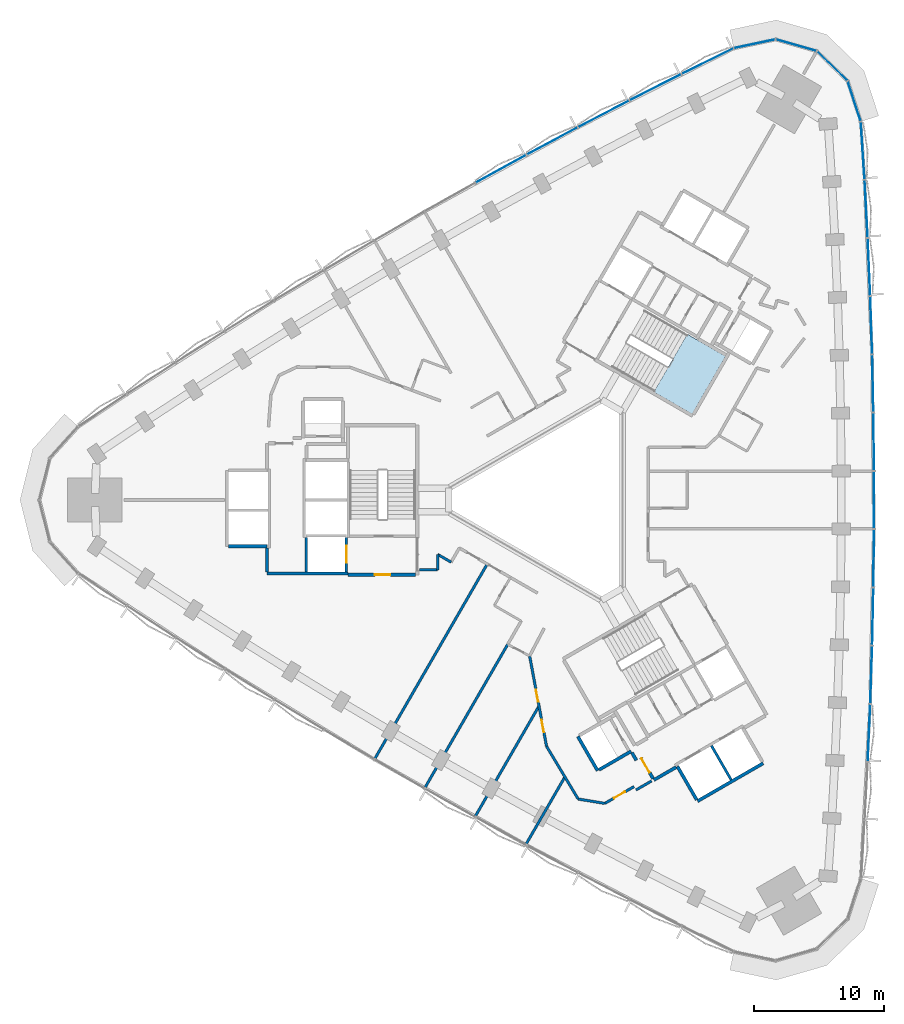
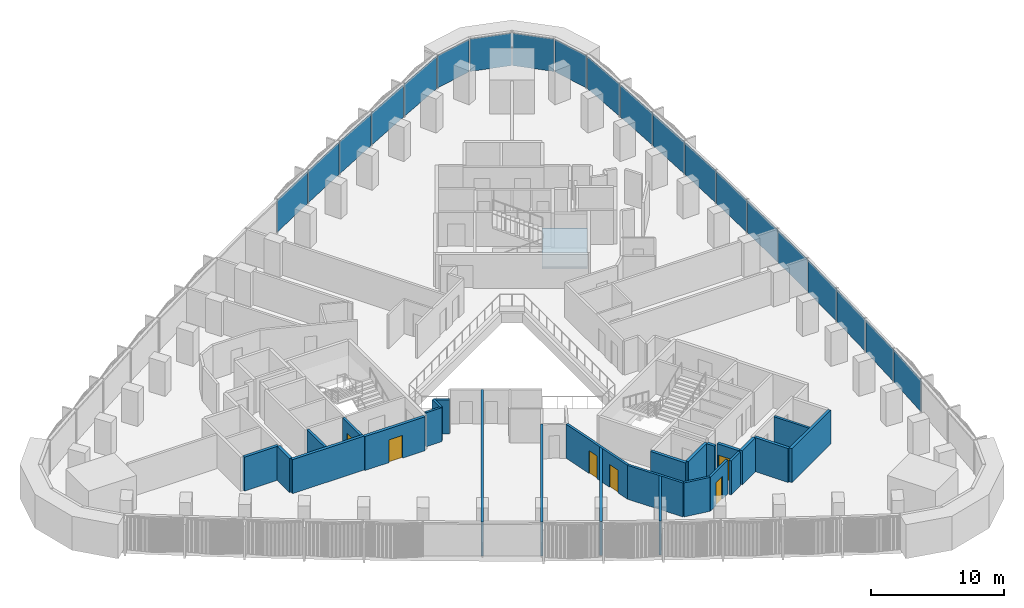
# One storey, part 8 of 15: 26 walls, 20 plates, 6 doors, 1 slab, 6 openings, 3 elements without a shape of their own.
"""IFC4 building model written with IfcOpenShell, lengths in metres."""

from ifc_helpers import new_model, si_unit, direction, frame, frame_2d, origin, origin_2d, place, context, subcontext, project, spatial, polyline, rectangle, outline, extrude, material, layer, layer_set, type_object, element, fill, aggregate, save


model = new_model("IFC4")

# Units and contexts
model_context = context("Model", 3, precision=1e-05, world=origin(), true_north=direction((0.0, 1.0)))
body_context = subcontext(model_context, "Body", "Model", "MODEL_VIEW")
ifc_project = project(units=[si_unit("LENGTHUNIT", "METRE"), si_unit("AREAUNIT", "SQUARE_METRE"), si_unit("VOLUMEUNIT", "CUBIC_METRE"), si_unit("PLANEANGLEUNIT", "RADIAN"), si_unit("MASSUNIT", "GRAM", prefix="KILO")], contexts=[model_context])

# Site, building, storey
site_placement = place(None, origin())
site = spatial("IfcSite", under=ifc_project, at=site_placement, CompositionType="ELEMENT")
building_placement = place(site_placement, origin())
building = spatial("IfcBuilding", under=site, at=building_placement, Name="Tamra Quay Hotel Tower", CompositionType="ELEMENT")
storey_placement = place(building_placement, frame((0.0, 0.0, 53.0)))
storey = spatial("IfcBuildingStorey", under=building, at=storey_placement, Name="L11", CompositionType="ELEMENT", Elevation=53.0)

# Stair, slab
ifc_material_1 = material(Name="Exit stair 2200 24 risers 150.0 going 342")
stair_type = type_object("IfcStairType", Name="Exit stair 2200 24 risers 150.0 going 342", PredefinedType="HALF_TURN_STAIR", material=ifc_material_1)
stair_placement = place(storey_placement, origin())
stair = element("IfcStair", 1, at=stair_placement, inside=storey, type_object=stair_type, Name="L11 Exit stair ST1", PredefinedType="HALF_TURN_STAIR")
ifc_material_2 = material(Name="Concrete M70", Category="concrete")
ifc_layer_1 = layer(ifc_material_2, 0.175048828125)
ifc_layer_set_1 = layer_set([ifc_layer_1], Name="Concrete M70 stair landing 180")
slab_type = type_object("IfcSlabType", Name="Concrete M70 stair landing 180", PredefinedType="LANDING", material=ifc_layer_set_1)
slab_placement = place(storey_placement, frame((0.0, 0.0, 1.625)))
slab = element("IfcSlab", 2, at=slab_placement, type_object=slab_type, Name="ST1 landing 1", PredefinedType="LANDING", context=body_context, shape_type="SweptSolid", body=[
    extrude(outline(polyline([(7.425048828125, 8.336669921875), (10.385009765625, 6.627685546875), (12.964599609375, 11.095458984375), (10.00439453125, 12.804443359375), (7.425048828125, 8.336669921875)])), origin(), (0.0, 0.0, 1.0), 0.175048828125),
])
aggregate(stair, [slab])

# Curtain wall, plates
ifc_material_3 = material(Name="Aluminium 6063 anodised dark grey", Category="aluminium")
curtain_wall_type_1 = type_object("IfcCurtainWallType", Name="CW1 CURTAIN WALL", PredefinedType="NOTDEFINED", material=ifc_material_3)
curtain_wall_1_placement = place(storey_placement, origin())
curtain_wall_1 = element("IfcCurtainWall", 3, at=curtain_wall_1_placement, inside=storey, type_object=curtain_wall_type_1, Name="CW1 east face L11", PredefinedType="NOTDEFINED")
ifc_material_4 = material(Name="Glass clear laminated low-iron", Category="glass")
ifc_layer_2 = layer(ifc_material_4, 0.035888671875)
ifc_layer_set_2 = layer_set([ifc_layer_2], Name="GLASS PANEL CW1 Z1")
plate_type_1 = type_object("IfcPlateType", Name="GLASS PANEL CW1 Z1", PredefinedType="CURTAIN_PANEL", material=ifc_layer_set_2)
plate_1_placement = place(storey_placement, frame((24.04052734375, -17.985107421875, 0.0), z_axis=(0.0, 0.0, 1.0), x_axis=(0.043285462035, 0.999062745165, 0.0)))
plate_1 = element("IfcPlate", 4, at=plate_1_placement, type_object=plate_type_1, Name="CW1 glass L11.E.3", PredefinedType="CURTAIN_PANEL", context=body_context, shape_type="SweptSolid", body=[
    extrude(rectangle(XDim=4.397216796875, YDim=0.035888671875, at=origin_2d()), origin(), (0.0, 0.0, 1.0), 2.985107421875),
])
plate_2_placement = place(storey_placement, frame((24.2109375, -13.490966796875, 0.0), z_axis=(0.0, 0.0, 1.0), x_axis=(0.032474799035, 0.999472554615, 0.0)))
plate_2 = element("IfcPlate", 5, at=plate_2_placement, type_object=plate_type_1, Name="CW1 glass L11.E.4", PredefinedType="CURTAIN_PANEL", context=body_context, shape_type="SweptSolid", body=[
    extrude(rectangle(XDim=4.397216796875, YDim=0.035888671875, at=origin_2d()), origin(), (0.0, 0.0, 1.0), 2.985107421875),
])
plate_3_placement = place(storey_placement, frame((24.332763671875, -8.99462890625, 0.0), z_axis=(0.0, 0.0, 1.0), x_axis=(0.021657440572, 0.999765450127, 0.0)))
plate_3 = element("IfcPlate", 6, at=plate_3_placement, type_object=plate_type_1, Name="CW1 glass L11.E.5", PredefinedType="CURTAIN_PANEL", context=body_context, shape_type="SweptSolid", body=[
    extrude(rectangle(XDim=4.39892578125, YDim=0.035888671875, at=origin_2d()), origin(), (0.0, 0.0, 1.0), 2.985107421875),
])
plate_4_placement = place(storey_placement, frame((24.40576171875, -4.4970703125, 0.0), z_axis=(0.0, 0.0, 1.0), x_axis=(0.010835825783, 0.999941290716, 0.0)))
plate_4 = element("IfcPlate", 7, at=plate_4_placement, type_object=plate_type_1, Name="CW1 glass L11.E.6", PredefinedType="CURTAIN_PANEL", context=body_context, shape_type="SweptSolid", body=[
    extrude(rectangle(XDim=4.397216796875, YDim=0.035888671875, at=origin_2d()), origin(), (0.0, 0.0, 1.0), 2.985107421875),
])
plate_5_placement = place(storey_placement, frame((24.43017578125, 0.0, 0.0), z_axis=(0.0, 0.0, 1.0), x_axis=(0.0, 1.0, 0.0)))
plate_5 = element("IfcPlate", 8, at=plate_5_placement, type_object=plate_type_1, Name="CW1 glass L11.E.7", PredefinedType="CURTAIN_PANEL", context=body_context, shape_type="SweptSolid", body=[
    extrude(rectangle(XDim=4.397216796875, YDim=0.035888671875, at=origin_2d()), origin(), (0.0, 0.0, 1.0), 2.985107421875),
])
plate_6_placement = place(storey_placement, frame((24.40576171875, 4.4970703125, 0.0), z_axis=(0.0, 0.0, 1.0), x_axis=(-0.010835825783, 0.999941290716, 0.0)))
plate_6 = element("IfcPlate", 9, at=plate_6_placement, type_object=plate_type_1, Name="CW1 glass L11.E.8", PredefinedType="CURTAIN_PANEL", context=body_context, shape_type="SweptSolid", body=[
    extrude(rectangle(XDim=4.397216796875, YDim=0.035888671875, at=origin_2d()), origin(), (0.0, 0.0, 1.0), 2.985107421875),
])
plate_7_placement = place(storey_placement, frame((24.332763671875, 8.99462890625, 0.0), z_axis=(0.0, 0.0, 1.0), x_axis=(-0.021657440572, 0.999765450127, 0.0)))
plate_7 = element("IfcPlate", 10, at=plate_7_placement, type_object=plate_type_1, Name="CW1 glass L11.E.9", PredefinedType="CURTAIN_PANEL", context=body_context, shape_type="SweptSolid", body=[
    extrude(rectangle(XDim=4.39892578125, YDim=0.035888671875, at=origin_2d()), origin(), (0.0, 0.0, 1.0), 2.985107421875),
])
plate_8_placement = place(storey_placement, frame((24.2109375, 13.490966796875, 0.0), z_axis=(0.0, 0.0, 1.0), x_axis=(-0.032474799035, 0.999472554615, 0.0)))
plate_8 = element("IfcPlate", 11, at=plate_8_placement, type_object=plate_type_1, Name="CW1 glass L11.E.10", PredefinedType="CURTAIN_PANEL", context=body_context, shape_type="SweptSolid", body=[
    extrude(rectangle(XDim=4.397216796875, YDim=0.035888671875, at=origin_2d()), origin(), (0.0, 0.0, 1.0), 2.985107421875),
])
plate_9_placement = place(storey_placement, frame((24.04052734375, 17.985107421875, 0.0), z_axis=(0.0, 0.0, 1.0), x_axis=(-0.043285462035, 0.999062745165, 0.0)))
plate_9 = element("IfcPlate", 12, at=plate_9_placement, type_object=plate_type_1, Name="CW1 glass L11.E.11", PredefinedType="CURTAIN_PANEL", context=body_context, shape_type="SweptSolid", body=[
    extrude(rectangle(XDim=4.397216796875, YDim=0.035888671875, at=origin_2d()), origin(), (0.0, 0.0, 1.0), 2.985107421875),
])
plate_10_placement = place(storey_placement, frame((23.821533203125, 22.477783203125, 0.0), z_axis=(0.0, 0.0, 1.0), x_axis=(-0.054062119595, 0.998537574268, 0.0)))
plate_10 = element("IfcPlate", 13, at=plate_10_placement, type_object=plate_type_1, Name="CW1 glass L11.E.12", PredefinedType="CURTAIN_PANEL", context=body_context, shape_type="SweptSolid", body=[
    extrude(rectangle(XDim=4.39892578125, YDim=0.035888671875, at=origin_2d()), origin(), (0.0, 0.0, 1.0), 2.985107421875),
])
plate_11_placement = place(storey_placement, frame((23.55419921875, 26.96728515625, 0.0), z_axis=(0.0, 0.0, 1.0), x_axis=(-0.064813097616, 0.997897420769, 0.0)))
plate_11 = element("IfcPlate", 14, at=plate_11_placement, type_object=plate_type_1, Name="CW1 glass L11.E.13", PredefinedType="CURTAIN_PANEL", context=body_context, shape_type="SweptSolid", body=[
    extrude(rectangle(XDim=4.396484375, YDim=0.035888671875, at=origin_2d()), origin(), (0.0, 0.0, 1.0), 2.985107421875),
])
plate_12_placement = place(storey_placement, frame((22.8974609375, 30.783447265625, 0.0), z_axis=(0.0, 0.0, 1.0), x_axis=(-0.309040551826, 0.951048861693, 0.0)))
plate_12 = element("IfcPlate", 15, at=plate_12_placement, type_object=plate_type_1, Name="CW1 glass L11.E.14", PredefinedType="CURTAIN_PANEL", context=body_context, shape_type="SweptSolid", body=[
    extrude(rectangle(XDim=3.207275390625, YDim=0.035888671875, at=origin_2d()), origin(), (0.0, 0.0, 1.0), 2.985107421875),
])
plate_13_placement = place(storey_placement, frame((21.197021484375, 33.5048828125, 0.0), z_axis=(0.0, 0.0, 1.0), x_axis=(-0.719345535851, 0.694652431113, 0.0)))
plate_13 = element("IfcPlate", 16, at=plate_13_placement, type_object=plate_type_1, Name="CW1 glass L11.E.15", PredefinedType="CURTAIN_PANEL", context=body_context, shape_type="SweptSolid", body=[
    extrude(rectangle(XDim=3.207275390625, YDim=0.035888671875, at=origin_2d()), origin(), (0.0, 0.0, 1.0), 2.985107421875),
])
plate_14_placement = place(storey_placement, frame((18.417724609375, 35.109619140625, 0.0), z_axis=(0.0, 0.0, 1.0), x_axis=(-0.96125942007, 0.275645292589, 0.0)))
plate_14 = element("IfcPlate", 17, at=plate_14_placement, type_object=plate_type_1, Name="CW1 glass L11.E.16", PredefinedType="CURTAIN_PANEL", context=body_context, shape_type="SweptSolid", body=[
    extrude(rectangle(XDim=3.207275390625, YDim=0.035888671875, at=origin_2d()), origin(), (0.0, 0.0, 1.0), 2.985107421875),
])
plate_15_placement = place(storey_placement, frame((15.210693359375, 35.2216796875, 0.0), z_axis=(0.0, 0.0, 1.0), x_axis=(-0.978152750379, -0.207887462165, 0.0)))
plate_15 = element("IfcPlate", 18, at=plate_15_placement, type_object=plate_type_1, Name="CW1 glass L11.E.17", PredefinedType="CURTAIN_PANEL", context=body_context, shape_type="SweptSolid", body=[
    extrude(rectangle(XDim=3.207275390625, YDim=0.035888671875, at=origin_2d()), origin(), (0.0, 0.0, 1.0), 2.985107421875),
])
aggregate(curtain_wall_1, [plate_1, plate_2, plate_3, plate_4, plate_5, plate_6, plate_7, plate_8, plate_9, plate_10, plate_11, plate_12, plate_13, plate_14, plate_15])

curtain_wall_type_2 = type_object("IfcCurtainWallType", Name="CW2 CURTAIN WALL", PredefinedType="NOTDEFINED", material=ifc_material_3)
curtain_wall_2_placement = place(storey_placement, origin())
curtain_wall_2 = element("IfcCurtainWall", 19, at=curtain_wall_2_placement, inside=storey, type_object=curtain_wall_type_2, Name="CW2 north-west face L11", PredefinedType="NOTDEFINED")
ifc_layer_3 = layer(ifc_material_4, 0.035888671875)
ifc_layer_set_3 = layer_set([ifc_layer_3], Name="GLASS PANEL CW2 Z1")
plate_type_2 = type_object("IfcPlateType", Name="GLASS PANEL CW2 Z1", PredefinedType="CURTAIN_PANEL", material=ifc_layer_set_3)
plate_16_placement = place(storey_placement, frame((11.5771484375, 33.88232421875, 0.0), z_axis=(0.0, 0.0, 1.0), x_axis=(-0.896611065565, -0.442818921351, 0.0)))
plate_16 = element("IfcPlate", 20, at=plate_16_placement, type_object=plate_type_2, Name="CW2 glass L11.NW.1", PredefinedType="CURTAIN_PANEL", context=body_context, shape_type="SweptSolid", body=[
    extrude(rectangle(XDim=4.396484375, YDim=0.035888671875, at=origin_2d()), origin(), (0.0, 0.0, 1.0), 2.985107421875),
])
plate_17_placement = place(storey_placement, frame((7.555419921875, 31.868896484375, 0.0), z_axis=(0.0, 0.0, 1.0), x_axis=(-0.891789965747, -0.452449618182, 0.0)))
plate_17 = element("IfcPlate", 21, at=plate_17_placement, type_object=plate_type_2, Name="CW2 glass L11.NW.2", PredefinedType="CURTAIN_PANEL", context=body_context, shape_type="SweptSolid", body=[
    extrude(rectangle(XDim=4.39892578125, YDim=0.035888671875, at=origin_2d()), origin(), (0.0, 0.0, 1.0), 2.985107421875),
])
plate_18_placement = place(storey_placement, frame((3.55517578125, 29.812255859375, 0.0), z_axis=(0.0, 0.0, 1.0), x_axis=(-0.886856448305, -0.462045062846, 0.0)))
plate_18 = element("IfcPlate", 22, at=plate_18_placement, type_object=plate_type_2, Name="CW2 glass L11.NW.3", PredefinedType="CURTAIN_PANEL", context=body_context, shape_type="SweptSolid", body=[
    extrude(rectangle(XDim=4.397216796875, YDim=0.035888671875, at=origin_2d()), origin(), (0.0, 0.0, 1.0), 2.985107421875),
])
plate_19_placement = place(storey_placement, frame((-0.421875, 27.712890625, 0.0), z_axis=(0.0, 0.0, 1.0), x_axis=(-0.881806022199, -0.47161227636, 0.0)))
plate_19 = element("IfcPlate", 23, at=plate_19_placement, type_object=plate_type_2, Name="CW2 glass L11.NW.4", PredefinedType="CURTAIN_PANEL", context=body_context, shape_type="SweptSolid", body=[
    extrude(rectangle(XDim=4.397216796875, YDim=0.035888671875, at=origin_2d()), origin(), (0.0, 0.0, 1.0), 2.985107421875),
])
plate_20_placement = place(storey_placement, frame((-4.376708984375, 25.570068359375, 0.0), z_axis=(0.0, 0.0, 1.0), x_axis=(-0.876650997922, -0.481126831347, 0.0)))
plate_20 = element("IfcPlate", 24, at=plate_20_placement, type_object=plate_type_2, Name="CW2 glass L11.NW.5", PredefinedType="CURTAIN_PANEL", context=body_context, shape_type="SweptSolid", body=[
    extrude(rectangle(XDim=4.39892578125, YDim=0.035888671875, at=origin_2d()), origin(), (0.0, 0.0, 1.0), 2.985107421875),
])
aggregate(curtain_wall_2, [plate_16, plate_17, plate_18, plate_19, plate_20])

# Wall, opening, door
ifc_layer_4 = layer(ifc_material_2, 0.199951171875)
ifc_layer_set_4 = layer_set([ifc_layer_4], Name="Concrete M70 core wall 200")
wall_type_1 = type_object("IfcWallType", Name="Concrete M70 core wall 200", PredefinedType="SHEAR", material=ifc_layer_set_4)
wall_1_placement = place(storey_placement, frame((-16.312255859375, -2.898193359375, 0.0), z_axis=(0.0, 0.0, 1.0), x_axis=(0.0, -1.0, 0.0)))
wall_1 = element("IfcWall", 25, at=wall_1_placement, inside=storey, type_object=wall_type_1, Name="CW2", PredefinedType="SHEAR", context=body_context, shape_type="SweptSolid", body=[
    extrude(rectangle(XDim=2.65087890625, YDim=0.199951171875, at=frame_2d((1.325439453125, 0.0))), origin(), (0.0, 0.0, 1.0), 3.125),
])
opening_1_placement = place(wall_1_placement, frame((0.65185546875, 0.0, 0.0)))
opening_1 = element("IfcOpeningElement", 26, at=opening_1_placement, cuts=wall_1, Name="Opening LD", PredefinedType="OPENING", context=body_context, shape_type="SweptSolid", body=[
    extrude(rectangle(XDim=1.300048828125, YDim=2.10009765625, at=frame_2d((0.64990234375, 1.050048828125))), frame((0.0, 0.10986328125, 0.0), z_axis=(0.0, -1.0, 0.0), x_axis=(1.0, 0.0, 0.0)), (0.0, 0.0, 1.0), 0.219970703125),
])
ifc_material_5 = material(Name="Landing door LD 1300 sliding to left")
door_type_1 = type_object("IfcDoorType", Name="Landing door LD 1300 sliding to left", OperationType="NOTDEFINED", PredefinedType="DOOR", material=ifc_material_5)
door_1_placement = place(opening_1_placement, origin())
door_1 = element("IfcDoor", 27, at=door_1_placement, inside=storey, type_object=door_type_1, Name="LD", OperationType="SLIDING_TO_LEFT", OverallHeight=2.10009765625, OverallWidth=1.300048828125, PredefinedType="DOOR", context=body_context, shape_type="SweptSolid", body=[
    extrude(rectangle(XDim=1.300048828125, YDim=2.10009765625, at=frame_2d((0.64990234375, 1.050048828125))), frame((0.0, 0.02490234375, 0.0), z_axis=(0.0, -1.0, 0.0), x_axis=(1.0, 0.0, 0.0)), (0.0, 0.0, 1.0), 0.050048828125),
])
fill(opening_1, door_1)

# Walls
wall_2_placement = place(storey_placement, frame((-19.412353515625, -5.549072265625, 0.0), z_axis=(0.0, 0.0, 1.0), x_axis=(0.0, 1.0, 0.0)))
element("IfcWall", 28, at=wall_2_placement, inside=storey, type_object=wall_type_1, Name="CW2", PredefinedType="SHEAR", context=body_context, shape_type="SweptSolid", body=[
    extrude(rectangle(XDim=2.65087890625, YDim=0.199951171875, at=frame_2d((1.325439453125, 0.0))), origin(), (0.0, 0.0, 1.0), 3.125),
])
wall_3_placement = place(storey_placement, frame((11.87451171875, -18.967041015625, 0.0), z_axis=(0.0, 0.0, 1.0), x_axis=(0.49998131003, -0.866036194175, 0.0)))
element("IfcWall", 29, at=wall_3_placement, inside=storey, type_object=wall_type_1, Name="CW2", PredefinedType="SHEAR", context=body_context, shape_type="SweptSolid", body=[
    extrude(rectangle(XDim=3.0478515625, YDim=0.199951171875, at=frame_2d((1.52392578125, 0.0))), origin(), (0.0, 0.0, 1.0), 3.125),
])
ifc_layer_5 = layer(ifc_material_2, 0.25)
ifc_layer_set_5 = layer_set([ifc_layer_5], Name="Concrete M70 core wall 250")
wall_type_2 = type_object("IfcWallType", Name="Concrete M70 core wall 250", PredefinedType="SHEAR", material=ifc_layer_set_5)
wall_4_placement = place(storey_placement, frame((-16.187255859375, -5.675048828125, 0.0), z_axis=(0.0, 0.0, 1.0), x_axis=(-1.0, 0.0, 0.0)))
element("IfcWall", 30, at=wall_4_placement, inside=storey, type_object=wall_type_2, Name="CW1", PredefinedType="SHEAR", context=body_context, shape_type="SweptSolid", body=[
    extrude(rectangle(XDim=6.25, YDim=0.25, at=frame_2d((3.125, 0.0))), origin(), (0.0, 0.0, 1.0), 3.125),
])

# Wall, opening, door
wall_5_placement = place(storey_placement, frame((-10.962646484375, -5.77490234375, 0.0), z_axis=(0.0, 0.0, 1.0), x_axis=(-1.0, 0.0, 0.0)))
wall_5 = element("IfcWall", 31, at=wall_5_placement, inside=storey, type_object=wall_type_2, Name="CW1", PredefinedType="SHEAR", context=body_context, shape_type="SweptSolid", body=[
    extrude(rectangle(XDim=5.224609375, YDim=0.25, at=frame_2d((2.6123046875, 0.0))), origin(), (0.0, 0.0, 1.0), 3.125),
])
opening_2_placement = place(wall_5_placement, frame((1.94970703125, 0.0, 0.0)))
opening_2 = element("IfcOpeningElement", 32, at=opening_2_placement, cuts=wall_5, Name="Opening D2", PredefinedType="OPENING", context=body_context, shape_type="SweptSolid", body=[
    extrude(rectangle(XDim=1.199951171875, YDim=2.10009765625, at=frame_2d((0.60009765625, 1.050048828125))), frame((0.0, 0.135009765625, 0.0), z_axis=(0.0, -1.0, 0.0), x_axis=(1.0, 0.0, 0.0)), (0.0, 0.0, 1.0), 0.27001953125),
])
ifc_material_6 = material(Name="Core door D2 1200x2100 RH")
door_type_2 = type_object("IfcDoorType", Name="Core door D2 1200x2100 RH", OperationType="NOTDEFINED", PredefinedType="DOOR", material=ifc_material_6)
door_2_placement = place(opening_2_placement, origin())
door_2 = element("IfcDoor", 33, at=door_2_placement, inside=storey, type_object=door_type_2, Name="D2", OperationType="SINGLE_SWING_RIGHT", OverallHeight=2.10009765625, OverallWidth=1.199951171875, PredefinedType="DOOR", context=body_context, shape_type="SweptSolid", body=[
    extrude(rectangle(XDim=1.199951171875, YDim=2.10009765625, at=frame_2d((0.60009765625, 1.050048828125))), frame((0.0, 0.02490234375, 0.0), z_axis=(0.0, -1.0, 0.0), x_axis=(1.0, 0.0, 0.0)), (0.0, 0.0, 1.0), 0.050048828125),
])
fill(opening_2, door_2)

# Walls
wall_6_placement = place(storey_placement, frame((-22.437255859375, -3.574951171875, 0.0), z_axis=(0.0, 0.0, 1.0), x_axis=(-1.0, 0.0, 0.0)))
element("IfcWall", 34, at=wall_6_placement, inside=storey, type_object=wall_type_2, Name="CW1", PredefinedType="SHEAR", context=body_context, shape_type="SweptSolid", body=[
    extrude(rectangle(XDim=2.974609375, YDim=0.25, at=frame_2d((1.4873046875, 0.0))), origin(), (0.0, 0.0, 1.0), 3.125),
])
wall_7_placement = place(storey_placement, frame((-22.437255859375, -5.549560546875, 0.0), z_axis=(0.0, 0.0, 1.0), x_axis=(0.0, 1.0, 0.0)))
element("IfcWall", 35, at=wall_7_placement, inside=storey, type_object=wall_type_2, Name="CW1", PredefinedType="SHEAR", context=body_context, shape_type="SweptSolid", body=[
    extrude(rectangle(XDim=1.84912109375, YDim=0.25, at=frame_2d((0.924560546875, 0.0))), origin(), (0.0, 0.0, 1.0), 3.125),
])
wall_8_placement = place(storey_placement, frame((15.86474609375, -20.328369140625, 0.0), z_axis=(0.0, 0.0, 1.0), x_axis=(-0.86602852612, -0.499994591916, 0.0)))
element("IfcWall", 36, at=wall_8_placement, inside=storey, type_object=wall_type_2, Name="CW1", PredefinedType="SHEAR", context=body_context, shape_type="SweptSolid", body=[
    extrude(rectangle(XDim=5.85009765625, YDim=0.25, at=frame_2d((2.925048828125, 0.0))), origin(), (0.0, 0.0, 1.0), 3.125),
])
wall_9_placement = place(storey_placement, frame((10.73583984375, -23.144775390625, 0.0), z_axis=(0.0, 0.0, 1.0), x_axis=(-0.500023226632, 0.866011993467, 0.0)))
element("IfcWall", 37, at=wall_9_placement, inside=storey, type_object=wall_type_2, Name="CW1", PredefinedType="SHEAR", context=body_context, shape_type="SweptSolid", body=[
    extrude(rectangle(XDim=2.974365234375, YDim=0.25, at=frame_2d((1.4873046875, 0.0))), origin(), (0.0, 0.0, 1.0), 3.125),
])
wall_10_placement = place(storey_placement, frame((3.085205078125, -20.893798828125, 0.0), z_axis=(0.0, 0.0, 1.0), x_axis=(-0.499978833458, 0.866037623948, 0.0)))
element("IfcWall", 38, at=wall_10_placement, inside=storey, type_object=wall_type_2, Name="CW1", PredefinedType="SHEAR", context=body_context, shape_type="SweptSolid", body=[
    extrude(rectangle(XDim=3.050048828125, YDim=0.25, at=frame_2d((1.52490234375, 0.0))), origin(), (0.0, 0.0, 1.0), 3.125),
])
wall_11_placement = place(storey_placement, frame((5.6748046875, -19.39892578125, 0.0), z_axis=(0.0, 0.0, 1.0), x_axis=(-0.866026637627, -0.499997862916, 0.0)))
element("IfcWall", 39, at=wall_11_placement, inside=storey, type_object=wall_type_2, Name="CW1", PredefinedType="SHEAR", context=body_context, shape_type="SweptSolid", body=[
    extrude(rectangle(XDim=2.86474609375, YDim=0.25, at=frame_2d((1.432373046875, 0.0))), origin(), (0.0, 0.0, 1.0), 3.125),
])
wall_12_placement = place(storey_placement, frame((9.139892578125, -20.63134765625, 0.0), z_axis=(0.0, 0.0, 1.0), x_axis=(-0.866043531843, -0.499968599967, 0.0)))
element("IfcWall", 40, at=wall_12_placement, inside=storey, type_object=wall_type_2, Name="CW1", PredefinedType="SHEAR", context=body_context, shape_type="SweptSolid", body=[
    extrude(rectangle(XDim=1.974853515625, YDim=0.25, at=frame_2d((0.9873046875, 0.0))), origin(), (0.0, 0.0, 1.0), 3.125),
])

# Wall, opening, door
wall_13_placement = place(storey_placement, frame((7.3671875, -21.51025390625, 0.0), z_axis=(0.0, 0.0, 1.0), x_axis=(-0.499983108224, 0.866035156036, 0.0)))
wall_13 = element("IfcWall", 41, at=wall_13_placement, inside=storey, type_object=wall_type_2, Name="CW1", PredefinedType="SHEAR", context=body_context, shape_type="SweptSolid", body=[
    extrude(rectangle(XDim=1.86474609375, YDim=0.25, at=frame_2d((0.932373046875, 0.0))), origin(), (0.0, 0.0, 1.0), 3.125),
])
opening_3_placement = place(wall_13_placement, frame((0.53466796875, 0.0, 0.0)))
opening_3 = element("IfcOpeningElement", 42, at=opening_3_placement, cuts=wall_13, Name="Opening FD3", PredefinedType="OPENING", context=body_context, shape_type="SweptSolid", body=[
    extrude(rectangle(XDim=1.25, YDim=2.10009765625, at=frame_2d((0.625, 1.050048828125))), frame((0.0, 0.135009765625, 0.0), z_axis=(0.0, -1.0, 0.0), x_axis=(1.0, 0.0, 0.0)), (0.0, 0.0, 1.0), 0.27001953125),
])
ifc_material_7 = material(Name="Core door FD3 1250x2100 LH")
door_type_3 = type_object("IfcDoorType", Name="Core door FD3 1250x2100 LH", OperationType="NOTDEFINED", PredefinedType="DOOR", material=ifc_material_7)
door_3_placement = place(opening_3_placement, origin())
door_3 = element("IfcDoor", 43, at=door_3_placement, inside=storey, type_object=door_type_3, Name="FD3", OperationType="SINGLE_SWING_LEFT", OverallHeight=2.10009765625, OverallWidth=1.25, PredefinedType="DOOR", context=body_context, shape_type="SweptSolid", body=[
    extrude(rectangle(XDim=1.25, YDim=2.10009765625, at=frame_2d((0.625, 1.050048828125))), frame((0.0, 0.02490234375, 0.0), z_axis=(0.0, -1.0, 0.0), x_axis=(1.0, 0.0, 0.0)), (0.0, 0.0, 1.0), 0.050048828125),
])
fill(opening_3, door_3)

# Walls
wall_14_placement = place(storey_placement, frame((6.07958984375, -20.100341796875, 0.0), z_axis=(0.0, 0.0, 1.0), x_axis=(-0.500051773299, 0.865995510393, 0.0)))
element("IfcWall", 44, at=wall_14_placement, inside=storey, type_object=wall_type_2, Name="CW1", PredefinedType="SHEAR", context=body_context, shape_type="SweptSolid", body=[
    extrude(rectangle(XDim=0.6845703125, YDim=0.25, at=frame_2d((0.34228515625, 0.0))), origin(), (0.0, 0.0, 1.0), 3.125),
])
ifc_material_8 = material(Name="Partition corridor wall")
ifc_layer_6 = layer(ifc_material_8, 0.199951171875)
ifc_layer_set_6 = layer_set([ifc_layer_6], Name="Partition corridor wall")
wall_type_3 = type_object("IfcWallType", Name="Partition corridor wall", PredefinedType="PARTITIONING", material=ifc_layer_set_6)
wall_15_placement = place(storey_placement, frame((-10.65234375, -5.39990234375, 0.0), z_axis=(0.0, 0.0, 1.0), x_axis=(1.0, 0.0, 0.0)))
element("IfcWall", 45, at=wall_15_placement, inside=storey, type_object=wall_type_3, Name="W-C", PredefinedType="PARTITIONING", context=body_context, shape_type="SweptSolid", body=[
    extrude(rectangle(XDim=1.390380859375, YDim=0.199951171875, at=frame_2d((0.6953125, 0.0))), origin(), (0.0, 0.0, 1.0), 3.125),
])
for number, where, z_axis, x_axis, name in (
    (46, (-9.261962890625, -5.39990234375, 0.0), (0.0, 0.0, 1.0), (0.0, 1.0, 0.0), "W-C"),
    (47, (-9.261962890625, -4.199951171875, 0.0), (0.0, 0.0, 1.0), (0.865955154139, -0.50012165622, 0.0), "W-C"),
):
    element("IfcWall", number, at=place(storey_placement, frame(where, z_axis=z_axis, x_axis=x_axis)), inside=storey, type_object=wall_type_3, Name=name, PredefinedType="PARTITIONING", context=body_context, shape_type="SweptSolid", body=[
        extrude(rectangle(XDim=1.199951171875, YDim=0.199951171875, at=frame_2d((0.60009765625, 0.0))), origin(), (0.0, 0.0, 1.0), 3.125),
    ])

# Wall, openings, doors
wall_16_placement = place(storey_placement, frame((-2.162109375, -12.0419921875, 0.0), z_axis=(0.0, 0.0, 1.0), x_axis=(0.183949825522, -0.982935634561, 0.0)))
wall_16 = element("IfcWall", 48, at=wall_16_placement, inside=storey, type_object=wall_type_3, Name="W-C", PredefinedType="PARTITIONING", context=body_context, shape_type="SweptSolid", body=[
    extrude(rectangle(XDim=7.093994140625, YDim=0.199951171875, at=frame_2d((3.546875, 0.0))), origin(), (0.0, 0.0, 1.0), 3.125),
])
opening_4_placement = place(wall_16_placement, frame((2.64990234375, 0.0, 0.0)))
opening_4 = element("IfcOpeningElement", 49, at=opening_4_placement, cuts=wall_16, Name="Opening L11-D015", PredefinedType="OPENING", context=body_context, shape_type="SweptSolid", body=[
    extrude(rectangle(XDim=0.949951171875, YDim=2.10009765625, at=frame_2d((0.47509765625, 1.050048828125))), frame((0.0, 0.10986328125, 0.0), z_axis=(0.0, -1.0, 0.0), x_axis=(1.0, 0.0, 0.0)), (0.0, 0.0, 1.0), 0.219970703125),
])
opening_5_placement = place(wall_16_placement, frame((5.005859375, 0.0, 0.0)))
opening_5 = element("IfcOpeningElement", 50, at=opening_5_placement, cuts=wall_16, Name="Opening L11-D017", PredefinedType="OPENING", context=body_context, shape_type="SweptSolid", body=[
    extrude(rectangle(XDim=1.0, YDim=2.10009765625, at=frame_2d((0.5, 1.050048828125))), frame((0.0, 0.10986328125, 0.0), z_axis=(0.0, -1.0, 0.0), x_axis=(1.0, 0.0, 0.0)), (0.0, 0.0, 1.0), 0.219970703125),
])
ifc_material_9 = material(Name="Door guest room 1000x2100")
door_type_4 = type_object("IfcDoorType", Name="Door guest room 1000x2100", OperationType="NOTDEFINED", PredefinedType="DOOR", material=ifc_material_9)
door_4_placement = place(opening_5_placement, frame((1.0, 0.0, 0.0), z_axis=(0.0, 0.0, 1.0), x_axis=(-1.0, 0.0, 0.0)))
door_4 = element("IfcDoor", 51, at=door_4_placement, inside=storey, type_object=door_type_4, Name="L11-D017", OperationType="SINGLE_SWING_LEFT", OverallHeight=2.10009765625, OverallWidth=1.0, PredefinedType="DOOR", context=body_context, shape_type="SweptSolid", body=[
    extrude(rectangle(XDim=1.0, YDim=2.10009765625, at=frame_2d((0.5, 1.050048828125))), frame((0.0, 0.02490234375, 0.0), z_axis=(0.0, -1.0, 0.0), x_axis=(1.0, 0.0, 0.0)), (0.0, 0.0, 1.0), 0.050048828125),
])
fill(opening_5, door_4)
ifc_material_10 = material(Name="Door guest room 950x2100")
door_type_5 = type_object("IfcDoorType", Name="Door guest room 950x2100", OperationType="NOTDEFINED", PredefinedType="DOOR", material=ifc_material_10)
door_5_placement = place(opening_4_placement, frame((0.949951171875, 0.0, 0.0), z_axis=(0.0, 0.0, 1.0), x_axis=(-1.0, 0.0, 0.0)))
door_5 = element("IfcDoor", 52, at=door_5_placement, inside=storey, type_object=door_type_5, Name="L11-D015", OperationType="SINGLE_SWING_LEFT", OverallHeight=2.10009765625, OverallWidth=0.949951171875, PredefinedType="DOOR", context=body_context, shape_type="SweptSolid", body=[
    extrude(rectangle(XDim=0.949951171875, YDim=2.10009765625, at=frame_2d((0.47509765625, 1.050048828125))), frame((0.0, 0.02490234375, 0.0), z_axis=(0.0, -1.0, 0.0), x_axis=(1.0, 0.0, 0.0)), (0.0, 0.0, 1.0), 0.050048828125),
])
fill(opening_4, door_5)

# Walls
wall_17_placement = place(storey_placement, frame((-0.85791015625, -19.01708984375, 0.0), z_axis=(0.0, 0.0, 1.0), x_axis=(0.514647068805, -0.857402119528, 0.0)))
element("IfcWall", 53, at=wall_17_placement, inside=storey, type_object=wall_type_3, Name="W-C", PredefinedType="PARTITIONING", context=body_context, shape_type="SweptSolid", body=[
    extrude(rectangle(XDim=4.745361328125, YDim=0.199951171875, at=frame_2d((2.37255859375, 0.0))), origin(), (0.0, 0.0, 1.0), 3.125),
])
wall_18_placement = place(storey_placement, frame((1.583984375, -23.0859375, 0.0), z_axis=(0.0, 0.0, 1.0), x_axis=(0.986633159246, -0.162957077405, 0.0)))
element("IfcWall", 54, at=wall_18_placement, inside=storey, type_object=wall_type_3, Name="W-C", PredefinedType="PARTITIONING", context=body_context, shape_type="SweptSolid", body=[
    extrude(rectangle(XDim=2.0869140625, YDim=0.199951171875, at=frame_2d((1.04345703125, 0.0))), origin(), (0.0, 0.0, 1.0), 3.125),
])

# Wall, opening, door
wall_19_placement = place(storey_placement, frame((3.64306640625, -23.426025390625, 0.0), z_axis=(0.0, 0.0, 1.0), x_axis=(0.866654350985, 0.498909045738, 0.0)))
wall_19 = element("IfcWall", 55, at=wall_19_placement, inside=storey, type_object=wall_type_3, Name="W-C", PredefinedType="PARTITIONING", context=body_context, shape_type="SweptSolid", body=[
    extrude(rectangle(XDim=2.607666015625, YDim=0.199951171875, at=frame_2d((1.3037109375, 0.0))), origin(), (0.0, 0.0, 1.0), 3.125),
])
opening_6_placement = place(wall_19_placement, frame((0.803955078125, 0.0, 0.0)))
opening_6 = element("IfcOpeningElement", 56, at=opening_6_placement, cuts=wall_19, Name="Opening L11-D018", PredefinedType="OPENING", context=body_context, shape_type="SweptSolid", body=[
    extrude(rectangle(XDim=1.0, YDim=2.10009765625, at=frame_2d((0.5, 1.050048828125))), frame((0.0, 0.10986328125, 0.0), z_axis=(0.0, -1.0, 0.0), x_axis=(1.0, 0.0, 0.0)), (0.0, 0.0, 1.0), 0.219970703125),
])
door_6_placement = place(opening_6_placement, frame((1.0, 0.0, 0.0), z_axis=(0.0, 0.0, 1.0), x_axis=(-1.0, 0.0, 0.0)))
door_6 = element("IfcDoor", 57, at=door_6_placement, inside=storey, type_object=door_type_4, Name="L11-D018", OperationType="SINGLE_SWING_LEFT", OverallHeight=2.10009765625, OverallWidth=1.0, PredefinedType="DOOR", context=body_context, shape_type="SweptSolid", body=[
    extrude(rectangle(XDim=1.0, YDim=2.10009765625, at=frame_2d((0.5, 1.050048828125))), frame((0.0, 0.02490234375, 0.0), z_axis=(0.0, -1.0, 0.0), x_axis=(1.0, 0.0, 0.0)), (0.0, 0.0, 1.0), 0.050048828125),
])
fill(opening_6, door_6)

# Walls
wall_20_placement = place(storey_placement, frame((6.053955078125, -22.385009765625, 0.0), z_axis=(0.0, 0.0, 1.0), x_axis=(0.86593101922, 0.500163443238, 0.0)))
element("IfcWall", 58, at=wall_20_placement, inside=storey, type_object=wall_type_3, Name="W-C", PredefinedType="PARTITIONING", context=body_context, shape_type="SweptSolid", body=[
    extrude(rectangle(XDim=1.3896484375, YDim=0.199951171875, at=frame_2d((0.69482421875, 0.0))), origin(), (0.0, 0.0, 1.0), 3.125),
])
ifc_material_11 = material(Name="Partition party wall")
ifc_layer_7 = layer(ifc_material_11, 0.199951171875)
ifc_layer_set_7 = layer_set([ifc_layer_7], Name="Partition party wall")
wall_type_4 = type_object("IfcWallType", Name="Partition party wall", PredefinedType="PARTITIONING", material=ifc_layer_set_7)
wall_21_placement = place(storey_placement, frame((-14.14794921875, -20.035400390625, 0.0), z_axis=(0.0, 0.0, 1.0), x_axis=(0.499978771293, 0.866037659837, 0.0)))
element("IfcWall", 59, at=wall_21_placement, inside=storey, type_object=wall_type_4, Name="W-P", PredefinedType="PARTITIONING", context=body_context, shape_type="SweptSolid", body=[
    extrude(rectangle(XDim=17.424560546875, YDim=0.199951171875, at=frame_2d((8.71240234375, 0.0))), origin(), (0.0, 0.0, 1.0), 3.125),
])
wall_22_placement = place(storey_placement, frame((-10.2763671875, -22.2705078125, 0.0), z_axis=(0.0, 0.0, 1.0), x_axis=(0.499984478165, 0.866034365135, 0.0)))
element("IfcWall", 60, at=wall_22_placement, inside=storey, type_object=wall_type_4, Name="W-P", PredefinedType="PARTITIONING", context=body_context, shape_type="SweptSolid", body=[
    extrude(rectangle(XDim=12.85107421875, YDim=0.199951171875, at=frame_2d((6.425537109375, 0.0))), origin(), (0.0, 0.0, 1.0), 3.125),
])
wall_23_placement = place(storey_placement, frame((-6.38134765625, -24.463623046875, 0.0), z_axis=(0.0, 0.0, 1.0), x_axis=(0.500007577232, 0.866021029023, 0.0)))
element("IfcWall", 61, at=wall_23_placement, inside=storey, type_object=wall_type_4, Name="W-P", PredefinedType="PARTITIONING", context=body_context, shape_type="SweptSolid", body=[
    extrude(rectangle(XDim=9.882568359375, YDim=0.199951171875, at=frame_2d((4.94140625, 0.0))), origin(), (0.0, 0.0, 1.0), 3.125),
])
wall_24_placement = place(storey_placement, frame((-2.46240234375, -26.614990234375, 0.0), z_axis=(0.0, 0.0, 1.0), x_axis=(0.49992636536, 0.86606791259, 0.0)))
element("IfcWall", 62, at=wall_24_placement, inside=storey, type_object=wall_type_4, Name="W-P", PredefinedType="PARTITIONING", context=body_context, shape_type="SweptSolid", body=[
    extrude(rectangle(XDim=6.0458984375, YDim=0.199951171875, at=frame_2d((3.02294921875, 0.0))), origin(), (0.0, 0.0, 1.0), 3.125),
])

save(model, "model.ifc")
